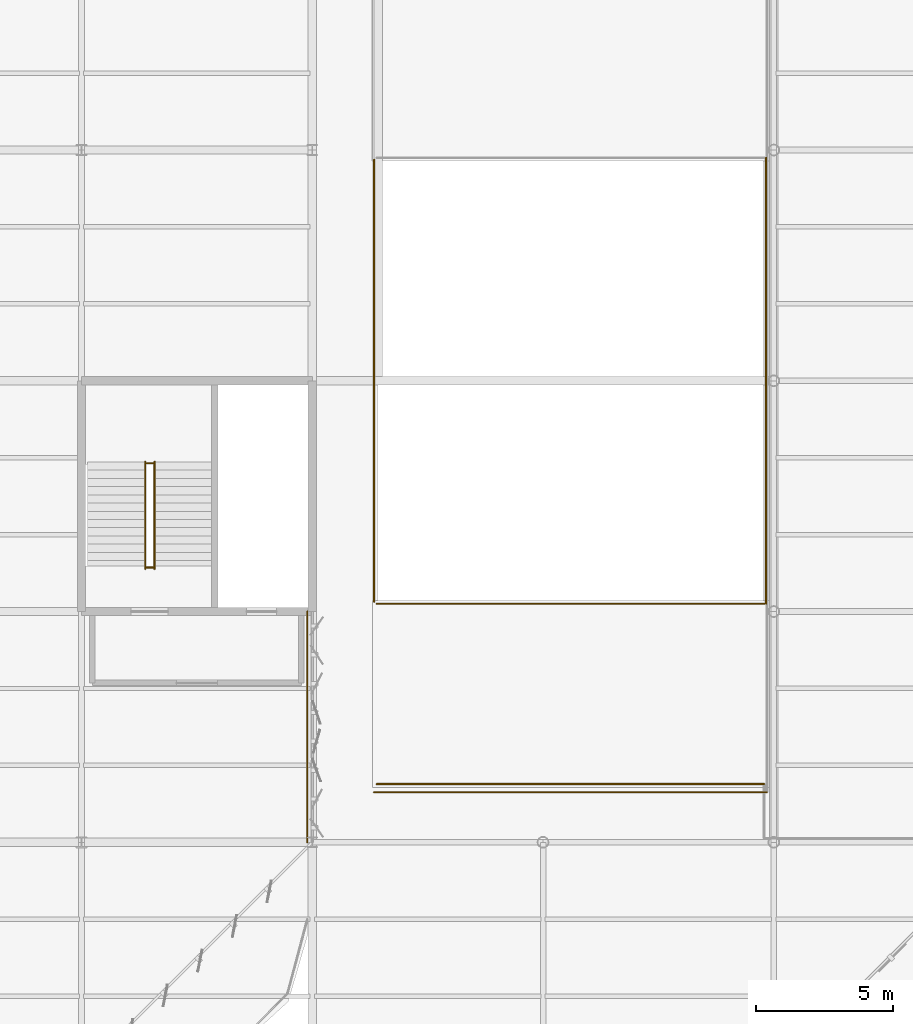
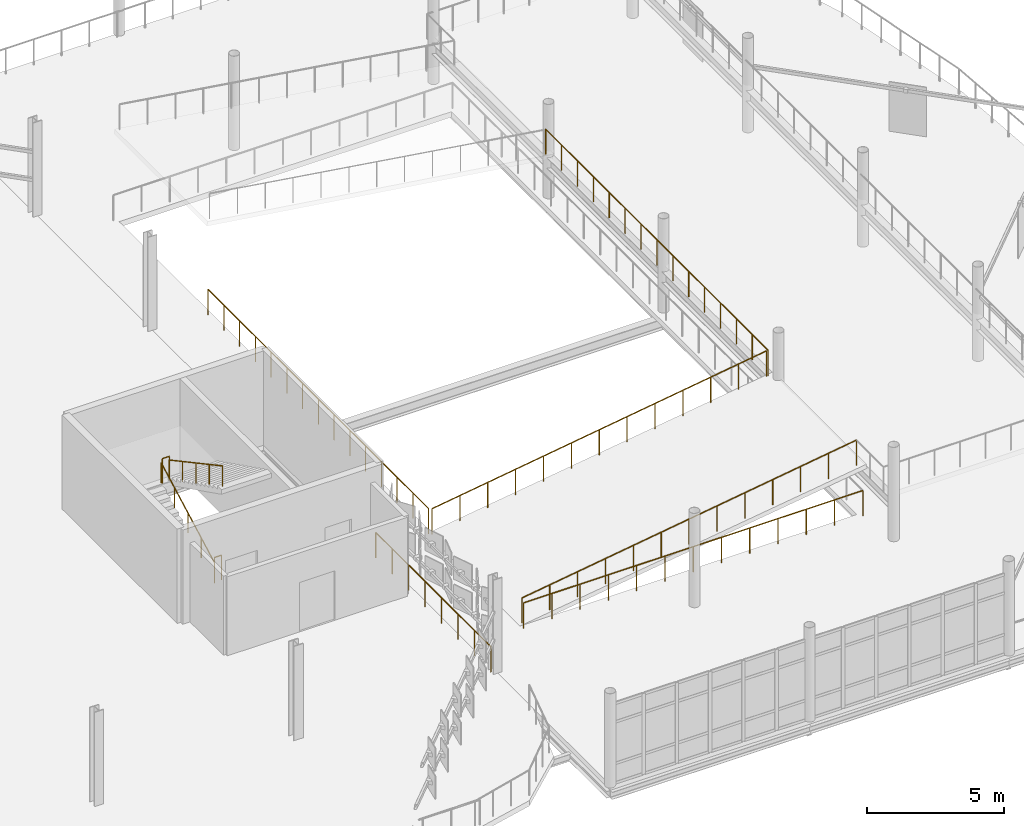
# One storey, part 161 of 163: 10 railings.
"""IFC4 building model written with IfcOpenShell, lengths in metres."""

from ifc_helpers import new_model, si_unit, direction, frame, origin, origin_2d, place, context, subcontext, project, spatial, circle, extrude, material, type_object, element, save


model = new_model("IFC4")

# Units and contexts
model_context = context("Model", 3, precision=1e-05, world=origin(), true_north=direction((0.0, 1.0)))
body_context = subcontext(model_context, "Body", "Model", "MODEL_VIEW")
ifc_project = project(units=[si_unit("LENGTHUNIT", "METRE"), si_unit("AREAUNIT", "SQUARE_METRE"), si_unit("VOLUMEUNIT", "CUBIC_METRE"), si_unit("PLANEANGLEUNIT", "RADIAN"), si_unit("MASSUNIT", "GRAM", prefix="KILO")], contexts=[model_context])

# Site, building, storey
site_placement = place(None, origin())
site = spatial("IfcSite", under=ifc_project, at=site_placement, CompositionType="ELEMENT")
building_placement = place(site_placement, origin())
building = spatial("IfcBuilding", under=site, at=building_placement, Name="Qalvenar Corner Mobility Hub", CompositionType="ELEMENT")
storey_placement = place(building_placement, frame((0.0, 0.0, 4.800048828125)))
storey = spatial("IfcBuildingStorey", under=building, at=storey_placement, Name="L01", CompositionType="ELEMENT", Elevation=4.800048828125)

# Railings
ifc_material_1 = material(Name="Art Nouveau Bronze-Finished Steel Balustrade", Category="steel")
railing_type_1 = type_object("IfcRailingType", Name="RL-GUARD-110", PredefinedType="GUARDRAIL", material=ifc_material_1)
for number, where, name in (
    (1, (136.739990234375, 85.60009765625, 0.0), "Stair Arrival Slot Guard C4-L01"),
    (2, (136.739990234375, 89.39990234375, 2.099853515625), "Stair Half-Landing Well Guard ST4-L01"),
):
    element("IfcRailing", number, at=place(storey_placement, frame(where)), inside=storey, type_object=railing_type_1, Name=name, PredefinedType="GUARDRAIL", context=body_context, shape_type="SweptSolid", body=[
        extrude(circle(Radius=0.02392578125, at=origin_2d()), frame((0.0, 0.0, 1.09619140625), z_axis=(1.0, 0.0, 0.0), x_axis=(0.0, 1.0, 0.0)), (0.0, 0.0, 1.0), 0.300048828125),
        extrude(circle(Radius=0.02099609375, at=origin_2d()), origin(), (0.0, 0.0, 1.0), 1.072021484375),
        extrude(circle(Radius=0.02099609375, at=origin_2d()), frame((0.300048828125, 0.0, 0.0)), (0.0, 0.0, 1.0), 1.072021484375),
    ])
ifc_material_2 = material(Name="Galvanised Steel Deck Edge Barrier", Category="steel")
railing_type_2 = type_object("IfcRailingType", Name="RL-GUARD-115", PredefinedType="GUARDRAIL", material=ifc_material_2)
railing_1_placement = place(storey_placement, frame((145.14990234375, 84.280029296875, 0.0)))
element("IfcRailing", 3, at=railing_1_placement, inside=storey, type_object=railing_type_2, Name="Ramp Guardrail L01-L02-GR1", PredefinedType="GUARDRAIL", context=body_context, shape_type="SweptSolid", body=[
    extrude(circle(Radius=0.02392578125, at=origin_2d()), frame((0.0, 0.0, 1.1259765625), z_axis=(0.98909182367, 0.0, 0.14730025237), x_axis=(0.0, 1.0, 0.0)), (0.0, 0.0, 1.0), 14.255615234375),
    extrude(circle(Radius=0.02099609375, at=origin_2d()), origin(), (0.0, 0.0, 1.0), 1.101806640625),
    extrude(circle(Radius=0.02099609375, at=origin_2d()), frame((1.175048828125, 0.0, 0.175048828125)), (0.0, 0.0, 1.0), 1.101806640625),
    extrude(circle(Radius=0.02099609375, at=origin_2d()), frame((2.35009765625, 0.0, 0.35009765625)), (0.0, 0.0, 1.0), 1.101806640625),
    extrude(circle(Radius=0.02099609375, at=origin_2d()), frame((3.52490234375, 0.0, 0.52490234375)), (0.0, 0.0, 1.0), 1.101806640625),
    extrude(circle(Radius=0.02099609375, at=origin_2d()), frame((4.699951171875, 0.0, 0.699951171875)), (0.0, 0.0, 1.0), 1.101806640625),
    extrude(circle(Radius=0.02099609375, at=origin_2d()), frame((5.875, 0.0, 0.875)), (0.0, 0.0, 1.0), 1.101806640625),
    extrude(circle(Radius=0.02099609375, at=origin_2d()), frame((7.050048828125, 0.0, 1.0498046875)), (0.0, 0.0, 1.0), 1.101806640625),
    extrude(circle(Radius=0.02099609375, at=origin_2d()), frame((8.22509765625, 0.0, 1.224853515625)), (0.0, 0.0, 1.0), 1.101806640625),
    extrude(circle(Radius=0.02099609375, at=origin_2d()), frame((9.400146484375, 0.0, 1.39990234375)), (0.0, 0.0, 1.0), 1.101806640625),
    extrude(circle(Radius=0.02099609375, at=origin_2d()), frame((10.5751953125, 0.0, 1.574951171875)), (0.0, 0.0, 1.0), 1.101806640625),
    extrude(circle(Radius=0.02099609375, at=origin_2d()), frame((11.75, 0.0, 1.75)), (0.0, 0.0, 1.0), 1.101806640625),
    extrude(circle(Radius=0.02099609375, at=origin_2d()), frame((12.925048828125, 0.0, 1.9248046875)), (0.0, 0.0, 1.0), 1.101806640625),
    extrude(circle(Radius=0.02099609375, at=origin_2d()), frame((14.10009765625, 0.0, 2.099853515625)), (0.0, 0.0, 1.0), 1.101806640625),
])
railing_2_placement = place(storey_placement, frame((145.14990234375, 77.719970703125, 0.0)))
element("IfcRailing", 4, at=railing_2_placement, inside=storey, type_object=railing_type_2, Name="Ramp Guardrail L01-L02-GR3", PredefinedType="GUARDRAIL", context=body_context, shape_type="SweptSolid", body=[
    extrude(circle(Radius=0.02392578125, at=origin_2d()), frame((0.0, 0.0, 1.1259765625), z_axis=(0.98909182367, 0.0, 0.14730025237), x_axis=(0.0, 1.0, 0.0)), (0.0, 0.0, 1.0), 14.255615234375),
    extrude(circle(Radius=0.02099609375, at=origin_2d()), origin(), (0.0, 0.0, 1.0), 1.101806640625),
    extrude(circle(Radius=0.02099609375, at=origin_2d()), frame((1.175048828125, 0.0, 0.175048828125)), (0.0, 0.0, 1.0), 1.101806640625),
    extrude(circle(Radius=0.02099609375, at=origin_2d()), frame((2.35009765625, 0.0, 0.35009765625)), (0.0, 0.0, 1.0), 1.101806640625),
    extrude(circle(Radius=0.02099609375, at=origin_2d()), frame((3.52490234375, 0.0, 0.52490234375)), (0.0, 0.0, 1.0), 1.101806640625),
    extrude(circle(Radius=0.02099609375, at=origin_2d()), frame((4.699951171875, 0.0, 0.699951171875)), (0.0, 0.0, 1.0), 1.101806640625),
    extrude(circle(Radius=0.02099609375, at=origin_2d()), frame((5.875, 0.0, 0.875)), (0.0, 0.0, 1.0), 1.101806640625),
    extrude(circle(Radius=0.02099609375, at=origin_2d()), frame((7.050048828125, 0.0, 1.0498046875)), (0.0, 0.0, 1.0), 1.101806640625),
    extrude(circle(Radius=0.02099609375, at=origin_2d()), frame((8.22509765625, 0.0, 1.224853515625)), (0.0, 0.0, 1.0), 1.101806640625),
    extrude(circle(Radius=0.02099609375, at=origin_2d()), frame((9.400146484375, 0.0, 1.39990234375)), (0.0, 0.0, 1.0), 1.101806640625),
    extrude(circle(Radius=0.02099609375, at=origin_2d()), frame((10.5751953125, 0.0, 1.574951171875)), (0.0, 0.0, 1.0), 1.101806640625),
    extrude(circle(Radius=0.02099609375, at=origin_2d()), frame((11.75, 0.0, 1.75)), (0.0, 0.0, 1.0), 1.101806640625),
    extrude(circle(Radius=0.02099609375, at=origin_2d()), frame((12.925048828125, 0.0, 1.9248046875)), (0.0, 0.0, 1.0), 1.101806640625),
    extrude(circle(Radius=0.02099609375, at=origin_2d()), frame((14.10009765625, 0.0, 2.099853515625)), (0.0, 0.0, 1.0), 1.101806640625),
])
railing_3_placement = place(storey_placement, frame((159.320068359375, 84.280029296875, 2.099853515625)))
element("IfcRailing", 5, at=railing_3_placement, inside=storey, type_object=railing_type_2, Name="Ramp Guardrail L01-L02-GRL-IN", PredefinedType="GUARDRAIL", context=body_context, shape_type="SweptSolid", body=[
    extrude(circle(Radius=0.02392578125, at=origin_2d()), frame((0.0, 0.0, 1.1259765625), z_axis=(0.0, 1.0, 0.0), x_axis=(-1.0, 0.0, 0.0)), (0.0, 0.0, 1.0), 16.239990234375),
    extrude(circle(Radius=0.02099609375, at=origin_2d()), origin(), (0.0, 0.0, 1.0), 1.101806640625),
    extrude(circle(Radius=0.02099609375, at=origin_2d()), frame((0.0, 1.159912109375, 0.0)), (0.0, 0.0, 1.0), 1.101806640625),
    extrude(circle(Radius=0.02099609375, at=origin_2d()), frame((0.0, 2.320068359375, 0.0)), (0.0, 0.0, 1.0), 1.101806640625),
    extrude(circle(Radius=0.02099609375, at=origin_2d()), frame((0.0, 3.47998046875, 0.0)), (0.0, 0.0, 1.0), 1.101806640625),
    extrude(circle(Radius=0.02099609375, at=origin_2d()), frame((0.0, 4.639892578125, 0.0)), (0.0, 0.0, 1.0), 1.101806640625),
    extrude(circle(Radius=0.02099609375, at=origin_2d()), frame((0.0, 5.800048828125, 0.0)), (0.0, 0.0, 1.0), 1.101806640625),
    extrude(circle(Radius=0.02099609375, at=origin_2d()), frame((0.0, 6.9599609375, 0.0)), (0.0, 0.0, 1.0), 1.101806640625),
    extrude(circle(Radius=0.02099609375, at=origin_2d()), frame((0.0, 8.1201171875, 0.0)), (0.0, 0.0, 1.0), 1.101806640625),
    extrude(circle(Radius=0.02099609375, at=origin_2d()), frame((0.0, 9.280029296875, 0.0)), (0.0, 0.0, 1.0), 1.101806640625),
    extrude(circle(Radius=0.02099609375, at=origin_2d()), frame((0.0, 10.43994140625, 0.0)), (0.0, 0.0, 1.0), 1.101806640625),
    extrude(circle(Radius=0.02099609375, at=origin_2d()), frame((0.0, 11.60009765625, 0.0)), (0.0, 0.0, 1.0), 1.101806640625),
    extrude(circle(Radius=0.02099609375, at=origin_2d()), frame((0.0, 12.760009765625, 0.0)), (0.0, 0.0, 1.0), 1.101806640625),
    extrude(circle(Radius=0.02099609375, at=origin_2d()), frame((0.0, 13.919921875, 0.0)), (0.0, 0.0, 1.0), 1.101806640625),
    extrude(circle(Radius=0.02099609375, at=origin_2d()), frame((0.0, 15.080078125, 0.0)), (0.0, 0.0, 1.0), 1.101806640625),
    extrude(circle(Radius=0.02099609375, at=origin_2d()), frame((0.0, 16.239990234375, 0.0)), (0.0, 0.0, 1.0), 1.101806640625),
])
railing_4_placement = place(storey_placement, frame((142.6201171875, 75.60009765625, 0.0)))
element("IfcRailing", 6, at=railing_4_placement, inside=storey, type_object=railing_type_2, Name="Parking Deck Edge Barrier L01-ES-1", PredefinedType="GUARDRAIL", context=body_context, shape_type="SweptSolid", body=[
    extrude(circle(Radius=0.02392578125, at=origin_2d()), frame((0.0, 0.0, 1.1259765625), z_axis=(0.0, 1.0, 0.0), x_axis=(-1.0, 0.0, 0.0)), (0.0, 0.0, 1.0), 8.39990234375),
    extrude(circle(Radius=0.02099609375, at=origin_2d()), origin(), (0.0, 0.0, 1.0), 1.101806640625),
    extrude(circle(Radius=0.02099609375, at=origin_2d()), frame((0.0, 1.199951171875, 0.0)), (0.0, 0.0, 1.0), 1.101806640625),
    extrude(circle(Radius=0.02099609375, at=origin_2d()), frame((0.0, 2.39990234375, 0.0)), (0.0, 0.0, 1.0), 1.101806640625),
    extrude(circle(Radius=0.02099609375, at=origin_2d()), frame((0.0, 3.599853515625, 0.0)), (0.0, 0.0, 1.0), 1.101806640625),
    extrude(circle(Radius=0.02099609375, at=origin_2d()), frame((0.0, 4.800048828125, 0.0)), (0.0, 0.0, 1.0), 1.101806640625),
    extrude(circle(Radius=0.02099609375, at=origin_2d()), frame((0.0, 6.0, 0.0)), (0.0, 0.0, 1.0), 1.101806640625),
    extrude(circle(Radius=0.02099609375, at=origin_2d()), frame((0.0, 7.199951171875, 0.0)), (0.0, 0.0, 1.0), 1.101806640625),
    extrude(circle(Radius=0.02099609375, at=origin_2d()), frame((0.0, 8.39990234375, 0.0)), (0.0, 0.0, 1.0), 1.101806640625),
])
railing_5_placement = place(storey_placement, frame((145.050048828125, 77.419921875, 0.0)))
element("IfcRailing", 7, at=railing_5_placement, inside=storey, type_object=railing_type_2, Name="Ramp Well Guardrail South L01", PredefinedType="GUARDRAIL", context=body_context, shape_type="SweptSolid", body=[
    extrude(circle(Radius=0.02392578125, at=origin_2d()), frame((0.0, 0.0, 1.1259765625), z_axis=(1.0, 0.0, 0.0), x_axis=(0.0, 1.0, 0.0)), (0.0, 0.0, 1.0), 14.300048828125),
    extrude(circle(Radius=0.02099609375, at=origin_2d()), origin(), (0.0, 0.0, 1.0), 1.101806640625),
    extrude(circle(Radius=0.02099609375, at=origin_2d()), frame((1.191650390625, 0.0, 0.0)), (0.0, 0.0, 1.0), 1.101806640625),
    extrude(circle(Radius=0.02099609375, at=origin_2d()), frame((2.38330078125, 0.0, 0.0)), (0.0, 0.0, 1.0), 1.101806640625),
    extrude(circle(Radius=0.02099609375, at=origin_2d()), frame((3.574951171875, 0.0, 0.0)), (0.0, 0.0, 1.0), 1.101806640625),
    extrude(circle(Radius=0.02099609375, at=origin_2d()), frame((4.7666015625, 0.0, 0.0)), (0.0, 0.0, 1.0), 1.101806640625),
    extrude(circle(Radius=0.02099609375, at=origin_2d()), frame((5.958251953125, 0.0, 0.0)), (0.0, 0.0, 1.0), 1.101806640625),
    extrude(circle(Radius=0.02099609375, at=origin_2d()), frame((7.14990234375, 0.0, 0.0)), (0.0, 0.0, 1.0), 1.101806640625),
    extrude(circle(Radius=0.02099609375, at=origin_2d()), frame((8.341796875, 0.0, 0.0)), (0.0, 0.0, 1.0), 1.101806640625),
    extrude(circle(Radius=0.02099609375, at=origin_2d()), frame((9.533447265625, 0.0, 0.0)), (0.0, 0.0, 1.0), 1.101806640625),
    extrude(circle(Radius=0.02099609375, at=origin_2d()), frame((10.72509765625, 0.0, 0.0)), (0.0, 0.0, 1.0), 1.101806640625),
    extrude(circle(Radius=0.02099609375, at=origin_2d()), frame((11.916748046875, 0.0, 0.0)), (0.0, 0.0, 1.0), 1.101806640625),
    extrude(circle(Radius=0.02099609375, at=origin_2d()), frame((13.1083984375, 0.0, 0.0)), (0.0, 0.0, 1.0), 1.101806640625),
    extrude(circle(Radius=0.02099609375, at=origin_2d()), frame((14.300048828125, 0.0, 0.0)), (0.0, 0.0, 1.0), 1.101806640625),
])
railing_6_placement = place(storey_placement, frame((145.050048828125, 84.35009765625, 0.0)))
element("IfcRailing", 8, at=railing_6_placement, inside=storey, type_object=railing_type_2, Name="Ramp Well Guardrail West Pier L01", PredefinedType="GUARDRAIL", context=body_context, shape_type="SweptSolid", body=[
    extrude(circle(Radius=0.02392578125, at=origin_2d()), frame((0.0, 0.0, 1.1259765625), z_axis=(0.0, 1.0, 0.0), x_axis=(-1.0, 0.0, 0.0)), (0.0, 0.0, 1.0), 16.099853515625),
    extrude(circle(Radius=0.02099609375, at=origin_2d()), origin(), (0.0, 0.0, 1.0), 1.101806640625),
    extrude(circle(Radius=0.02099609375, at=origin_2d()), frame((0.0, 1.14990234375, 0.0)), (0.0, 0.0, 1.0), 1.101806640625),
    extrude(circle(Radius=0.02099609375, at=origin_2d()), frame((0.0, 2.300048828125, 0.0)), (0.0, 0.0, 1.0), 1.101806640625),
    extrude(circle(Radius=0.02099609375, at=origin_2d()), frame((0.0, 3.449951171875, 0.0)), (0.0, 0.0, 1.0), 1.101806640625),
    extrude(circle(Radius=0.02099609375, at=origin_2d()), frame((0.0, 4.599853515625, 0.0)), (0.0, 0.0, 1.0), 1.101806640625),
    extrude(circle(Radius=0.02099609375, at=origin_2d()), frame((0.0, 5.75, 0.0)), (0.0, 0.0, 1.0), 1.101806640625),
    extrude(circle(Radius=0.02099609375, at=origin_2d()), frame((0.0, 6.89990234375, 0.0)), (0.0, 0.0, 1.0), 1.101806640625),
    extrude(circle(Radius=0.02099609375, at=origin_2d()), frame((0.0, 8.0498046875, 0.0)), (0.0, 0.0, 1.0), 1.101806640625),
    extrude(circle(Radius=0.02099609375, at=origin_2d()), frame((0.0, 9.199951171875, 0.0)), (0.0, 0.0, 1.0), 1.101806640625),
    extrude(circle(Radius=0.02099609375, at=origin_2d()), frame((0.0, 10.349853515625, 0.0)), (0.0, 0.0, 1.0), 1.101806640625),
    extrude(circle(Radius=0.02099609375, at=origin_2d()), frame((0.0, 11.5, 0.0)), (0.0, 0.0, 1.0), 1.101806640625),
    extrude(circle(Radius=0.02099609375, at=origin_2d()), frame((0.0, 12.64990234375, 0.0)), (0.0, 0.0, 1.0), 1.101806640625),
    extrude(circle(Radius=0.02099609375, at=origin_2d()), frame((0.0, 13.7998046875, 0.0)), (0.0, 0.0, 1.0), 1.101806640625),
    extrude(circle(Radius=0.02099609375, at=origin_2d()), frame((0.0, 14.949951171875, 0.0)), (0.0, 0.0, 1.0), 1.101806640625),
    extrude(circle(Radius=0.02099609375, at=origin_2d()), frame((0.0, 16.099853515625, 0.0)), (0.0, 0.0, 1.0), 1.101806640625),
])
ifc_material_3 = material(Name="Brushed Stainless Steel Handrail", Category="steel")
railing_type_3 = type_object("IfcRailingType", Name="RL-HAND-092", PredefinedType="HANDRAIL", material=ifc_material_3)
railing_7_placement = place(storey_placement, frame((136.719970703125, 85.550048828125, 0.0)))
element("IfcRailing", 9, at=railing_7_placement, inside=storey, type_object=railing_type_3, Name="Stair Handrail ST4-L01-1", PredefinedType="HANDRAIL", context=body_context, shape_type="SweptSolid", body=[
    extrude(circle(Radius=0.02392578125, at=origin_2d()), frame((0.0, 0.0, 0.89599609375), z_axis=(0.0, 0.88047994924, 0.474083388219), x_axis=(-1.0, 0.0, 0.0)), (0.0, 0.0, 1.0), 4.42919921875),
    extrude(circle(Radius=0.02099609375, at=origin_2d()), origin(), (0.0, 0.0, 1.0), 0.871826171875),
    extrude(circle(Radius=0.02099609375, at=origin_2d()), frame((0.0, 0.97509765625, 0.52490234375)), (0.0, 0.0, 1.0), 0.871826171875),
    extrude(circle(Radius=0.02099609375, at=origin_2d()), frame((0.0, 1.949951171875, 1.0498046875)), (0.0, 0.0, 1.0), 0.871826171875),
    extrude(circle(Radius=0.02099609375, at=origin_2d()), frame((0.0, 2.9248046875, 1.574951171875)), (0.0, 0.0, 1.0), 0.871826171875),
    extrude(circle(Radius=0.02099609375, at=origin_2d()), frame((0.0, 3.89990234375, 2.099853515625)), (0.0, 0.0, 1.0), 0.871826171875),
])
railing_8_placement = place(storey_placement, frame((137.06005859375, 89.449951171875, 2.099853515625)))
element("IfcRailing", 10, at=railing_8_placement, inside=storey, type_object=railing_type_3, Name="Stair Handrail ST4-L01-2", PredefinedType="HANDRAIL", context=body_context, shape_type="SweptSolid", body=[
    extrude(circle(Radius=0.02392578125, at=origin_2d()), frame((0.0, 0.0, 0.89599609375), z_axis=(0.0, -0.880456940745, 0.474126117709), x_axis=(1.0, 0.0, 0.0)), (0.0, 0.0, 1.0), 4.429443359375),
    extrude(circle(Radius=0.02099609375, at=origin_2d()), origin(), (0.0, 0.0, 1.0), 0.871826171875),
    extrude(circle(Radius=0.02099609375, at=origin_2d()), frame((0.0, -0.97509765625, 0.52490234375)), (0.0, 0.0, 1.0), 0.871826171875),
    extrude(circle(Radius=0.02099609375, at=origin_2d()), frame((0.0, -1.949951171875, 1.050048828125)), (0.0, 0.0, 1.0), 0.871826171875),
    extrude(circle(Radius=0.02099609375, at=origin_2d()), frame((0.0, -2.9248046875, 1.5751953125)), (0.0, 0.0, 1.0), 0.871826171875),
    extrude(circle(Radius=0.02099609375, at=origin_2d()), frame((0.0, -3.89990234375, 2.10009765625)), (0.0, 0.0, 1.0), 0.871826171875),
])

save(model, "model.ifc")
